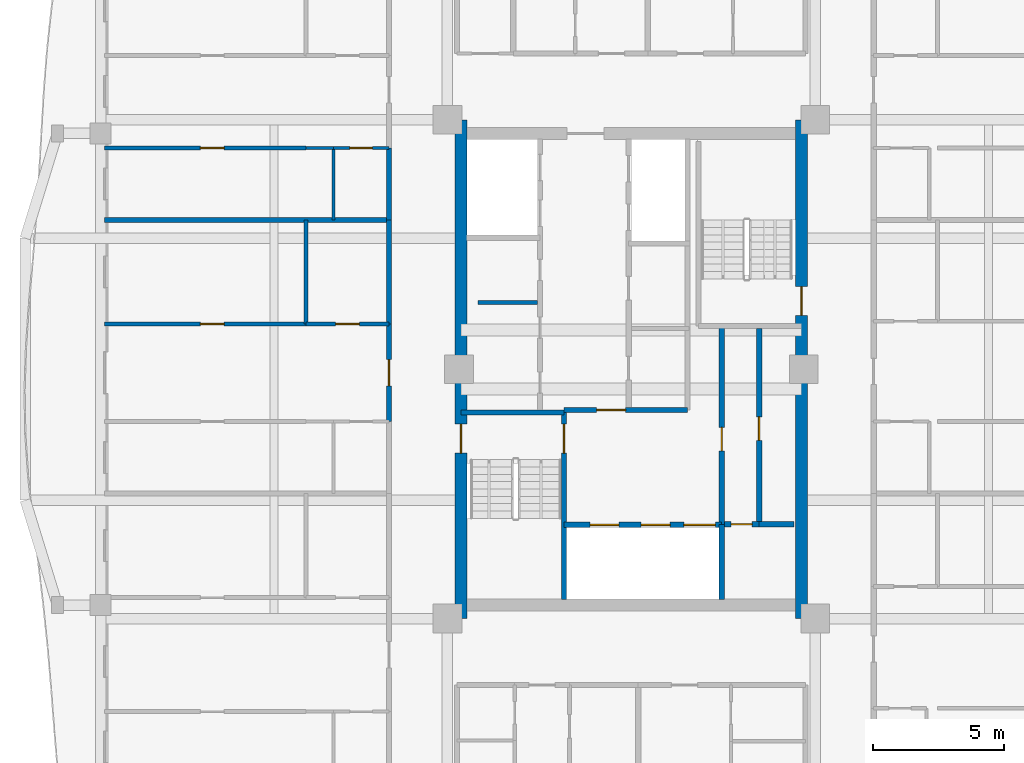
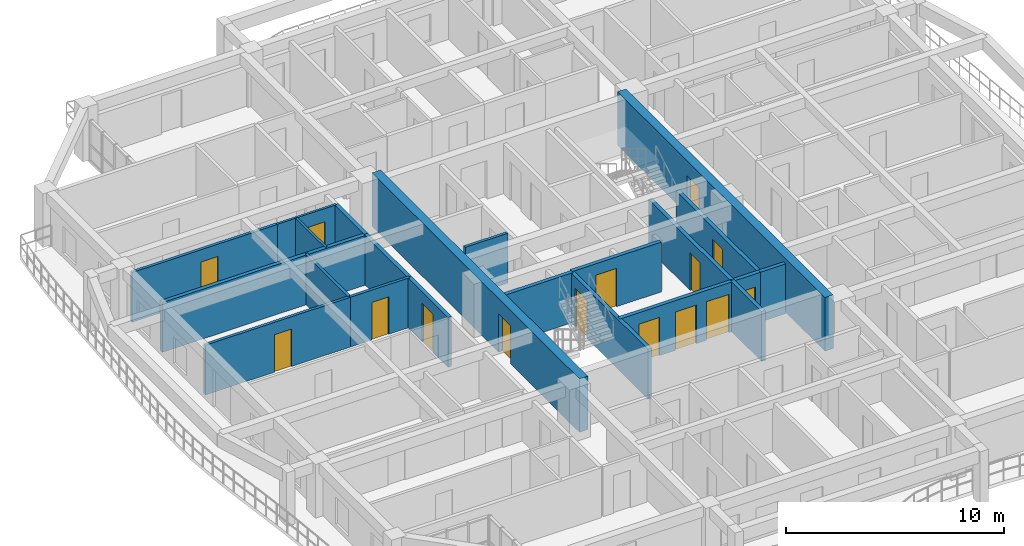
# One storey, part 12 of 22: 23 walls, 15 doors, 15 openings.
"""IFC4 building model written with IfcOpenShell, lengths in metres."""

from ifc_helpers import new_model, si_unit, direction, frame, frame_2d, origin, place, context, subcontext, project, spatial, rectangle, extrude, source, transform, mapped, material, layer, layer_set, type_object, element, fill, save


model = new_model("IFC4")

# Units and contexts
model_context = context("Model", 3, precision=1e-05, world=origin(), true_north=direction((0.0, 1.0)))
body_context = subcontext(model_context, "Body", "Model", "MODEL_VIEW")
ifc_project = project(units=[si_unit("LENGTHUNIT", "METRE"), si_unit("AREAUNIT", "SQUARE_METRE"), si_unit("VOLUMEUNIT", "CUBIC_METRE"), si_unit("PLANEANGLEUNIT", "RADIAN"), si_unit("MASSUNIT", "GRAM", prefix="KILO")], contexts=[model_context])

# Site, building, storey
site_placement = place(None, origin())
site = spatial("IfcSite", under=ifc_project, at=site_placement, CompositionType="ELEMENT")
building_placement = place(site_placement, origin())
building = spatial("IfcBuilding", under=site, at=building_placement, Name="Saelheon Loggia Tower", CompositionType="ELEMENT")
storey_placement = place(building_placement, frame((0.0, 0.0, 176.800048828125)))
storey = spatial("IfcBuildingStorey", under=building, at=storey_placement, Name="L55", CompositionType="ELEMENT", Elevation=176.800048828125)

# Wall, opening, door
ifc_material_1 = material(Name="Concrete C45/55", Category="concrete")
ifc_layer_1 = layer(ifc_material_1, 0.449951171875)
ifc_layer_set_1 = layer_set([ifc_layer_1], Name="Concrete C45/55")
wall_type_1 = type_object("IfcWallType", Name="Wall_CoreShear_450", PredefinedType="SHEAR", material=ifc_layer_set_1)
wall_1_placement = place(storey_placement, frame((31.5, 17.47998046875, 0.0), z_axis=(0.0, 0.0, 1.0), x_axis=(0.0, 1.0, 0.0)))
wall_1 = element("IfcWall", 1, at=wall_1_placement, inside=storey, type_object=wall_type_1, Name="L55 Core Shear Wall West", PredefinedType="SHEAR", context=body_context, shape_type="SweptSolid", body=[
    extrude(rectangle(XDim=19.0400390625, YDim=0.449951171875, at=frame_2d((9.52001953125, 0.0))), origin(), (0.0, 0.0, 1.0), 3.0),
])
opening_1_placement = place(wall_1_placement, frame((6.320068359375, 0.0, 0.0)))
opening_1 = element("IfcOpeningElement", 2, at=opening_1_placement, cuts=wall_1, Name="Opening D-FD2", PredefinedType="OPENING", context=body_context, shape_type="SweptSolid", body=[
    extrude(rectangle(XDim=1.10009765625, YDim=2.14990234375, at=frame_2d((0.550048828125, 1.074951171875))), frame((0.0, 0.237060546875, 0.0), z_axis=(0.0, -1.0, 0.0), x_axis=(1.0, 0.0, 0.0)), (0.0, 0.0, 1.0), 0.473876953125),
])
ifc_material_2 = material(Name="Galvanised Steel Fire Door", Category="steel")
door_type_1 = type_object("IfcDoorType", Name="Door_Fire_FD60_1100", OperationType="NOTDEFINED", PredefinedType="DOOR", material=ifc_material_2)
shared_shape_1 = source(origin(), body_context, "Body", "SweptSolid", [
    extrude(rectangle(XDim=1.10009765625, YDim=2.14990234375, at=frame_2d((0.550048828125, 1.074951171875))), frame((0.0, 0.02490234375, 0.0), z_axis=(0.0, -1.0, 0.0), x_axis=(1.0, 0.0, 0.0)), (0.0, 0.0, 1.0), 0.050048828125),
])
door_1_placement = place(opening_1_placement, origin())
door_1 = element("IfcDoor", 3, at=door_1_placement, inside=storey, type_object=door_type_1, Name="L55 Stair ST1 Corridor Door", OperationType="SINGLE_SWING_LEFT", OverallHeight=2.14990234375, OverallWidth=1.10009765625, PredefinedType="DOOR", context=body_context, shape_type="MappedRepresentation", body=[
    mapped(shared_shape_1, transform((0.0, 0.0, 0.0), scale=1.0)),
])
fill(opening_1, door_1)

wall_2_placement = place(storey_placement, frame((44.5, 17.47998046875, 0.0), z_axis=(0.0, 0.0, 1.0), x_axis=(0.0, 1.0, 0.0)))
wall_2 = element("IfcWall", 4, at=wall_2_placement, inside=storey, type_object=wall_type_1, Name="L55 Core Shear Wall East", PredefinedType="SHEAR", context=body_context, shape_type="SweptSolid", body=[
    extrude(rectangle(XDim=19.0400390625, YDim=0.449951171875, at=frame_2d((9.52001953125, 0.0))), origin(), (0.0, 0.0, 1.0), 3.0),
])
opening_2_placement = place(wall_2_placement, frame((12.670166015625, 0.0, 0.0), z_axis=(0.0, 0.0, 1.0), x_axis=(-1.0, 0.0, 0.0)))
opening_2 = element("IfcOpeningElement", 5, at=opening_2_placement, cuts=wall_2, Name="Opening D-FD2", PredefinedType="OPENING", context=body_context, shape_type="SweptSolid", body=[
    extrude(rectangle(XDim=1.10009765625, YDim=2.14990234375, at=frame_2d((0.550048828125, 1.074951171875))), frame((0.0, 0.237060546875, 0.0), z_axis=(0.0, -1.0, 0.0), x_axis=(1.0, 0.0, 0.0)), (0.0, 0.0, 1.0), 0.473876953125),
])
door_2_placement = place(opening_2_placement, origin())
door_2 = element("IfcDoor", 6, at=door_2_placement, inside=storey, type_object=door_type_1, Name="L55 Stair ST2 Corridor Door", OperationType="SINGLE_SWING_RIGHT", OverallHeight=2.14990234375, OverallWidth=1.10009765625, PredefinedType="DOOR", context=body_context, shape_type="MappedRepresentation", body=[
    mapped(shared_shape_1, transform((0.0, 0.0, 0.0), scale=1.0)),
])
fill(opening_2, door_2)

# Walls
ifc_material_3 = material(Name="Lightweight Autoclaved Aerated Concrete Block and Acoustic Gypsum", Category="concrete")
ifc_layer_2 = layer(ifc_material_3, 0.14990234375)
ifc_layer_set_2 = layer_set([ifc_layer_2], Name="Lightweight Autoclaved Aerated Concrete Block and Acoustic Gypsum")
wall_type_2 = type_object("IfcWallType", Name="Wall_Part_150", PredefinedType="PARTITIONING", material=ifc_layer_set_2)
wall_3_placement = place(storey_placement, frame((32.14990234375, 29.550048828125, 0.0), z_axis=(0.0, 0.0, 1.0), x_axis=(1.0, 0.0, 0.0)))
element("IfcWall", 7, at=wall_3_placement, inside=storey, type_object=wall_type_2, Name="L55 Freed Core Partition PL1", PredefinedType="PARTITIONING", context=body_context, shape_type="SweptSolid", body=[
    extrude(rectangle(XDim=2.27001953125, YDim=0.14990234375, at=frame_2d((1.135009765625, 0.0))), origin(), (0.0, 0.0, 1.0), 2.7900390625),
])
wall_4_placement = place(storey_placement, frame((25.590087890625, 28.7275390625, 0.0), z_axis=(0.0, 0.0, 1.0), x_axis=(0.0, 1.0, 0.0)))
element("IfcWall", 8, at=wall_4_placement, inside=storey, type_object=wall_type_2, Name="L55 W Partition V18", PredefinedType="PARTITIONING", context=body_context, shape_type="SweptSolid", body=[
    extrude(rectangle(XDim=3.9677734375, YDim=0.14990234375, at=frame_2d((1.98388671875, 0.0))), origin(), (0.0, 0.0, 1.0), 2.7900390625),
])

# Wall, opening, door
wall_5_placement = place(storey_placement, frame((28.75, 28.7275390625, 0.0), z_axis=(0.0, 0.0, 1.0), x_axis=(-1.0, 0.0, 0.0)))
wall_5 = element("IfcWall", 9, at=wall_5_placement, inside=storey, type_object=wall_type_2, Name="L55 W Partition U22", PredefinedType="PARTITIONING", context=body_context, shape_type="SweptSolid", body=[
    extrude(rectangle(XDim=3.159912109375, YDim=0.14990234375, at=frame_2d((1.580078125, 0.0))), origin(), (0.0, 0.0, 1.0), 2.7900390625),
])
opening_3_placement = place(wall_5_placement, frame((1.1298828125, 0.0, 0.0)))
opening_3 = element("IfcOpeningElement", 10, at=opening_3_placement, cuts=wall_5, Name="Opening D-IN2", PredefinedType="OPENING", context=body_context, shape_type="SweptSolid", body=[
    extrude(rectangle(XDim=0.89990234375, YDim=2.10009765625, at=frame_2d((0.449951171875, 1.050048828125))), frame((0.0, 0.0869140625, 0.0), z_axis=(0.0, -1.0, 0.0), x_axis=(1.0, 0.0, 0.0)), (0.0, 0.0, 1.0), 0.173828125),
])
ifc_material_4 = material(Name="Engineered Oak Flush Door", Category="timber")
door_type_2 = type_object("IfcDoorType", Name="Door_Int_900", OperationType="NOTDEFINED", PredefinedType="DOOR", material=ifc_material_4)
shared_shape_2 = source(origin(), body_context, "Body", "SweptSolid", [
    extrude(rectangle(XDim=0.89990234375, YDim=2.10009765625, at=frame_2d((0.449951171875, 1.050048828125))), frame((0.0, 0.02490234375, 0.0), z_axis=(0.0, -1.0, 0.0), x_axis=(1.0, 0.0, 0.0)), (0.0, 0.0, 1.0), 0.050048828125),
])
door_3_placement = place(opening_3_placement, origin())
door_3 = element("IfcDoor", 11, at=door_3_placement, inside=storey, type_object=door_type_2, Name="Unit U06 Home Office Door", OperationType="SINGLE_SWING_RIGHT", OverallHeight=2.10009765625, OverallWidth=0.89990234375, PredefinedType="DOOR", context=body_context, shape_type="MappedRepresentation", body=[
    mapped(shared_shape_2, transform((0.0, 0.0, 0.0), scale=1.0)),
])
fill(opening_3, door_3)

wall_6_placement = place(storey_placement, frame((25.590087890625, 28.7275390625, 0.0), z_axis=(0.0, 0.0, 1.0), x_axis=(-1.0, 0.0, 0.0)))
wall_6 = element("IfcWall", 12, at=wall_6_placement, inside=storey, type_object=wall_type_2, Name="L55 W Partition U23", PredefinedType="PARTITIONING", context=body_context, shape_type="SweptSolid", body=[
    extrude(rectangle(XDim=7.690185546875, YDim=0.14990234375, at=frame_2d((3.84521484375, 0.0))), origin(), (0.0, 0.0, 1.0), 2.7900390625),
])
opening_4_placement = place(wall_6_placement, frame((3.132080078125, 0.0, 0.0)))
opening_4 = element("IfcOpeningElement", 13, at=opening_4_placement, cuts=wall_6, Name="Opening D-IN2", PredefinedType="OPENING", context=body_context, shape_type="SweptSolid", body=[
    extrude(rectangle(XDim=0.89990234375, YDim=2.10009765625, at=frame_2d((0.449951171875, 1.050048828125))), frame((0.0, 0.0869140625, 0.0), z_axis=(0.0, -1.0, 0.0), x_axis=(1.0, 0.0, 0.0)), (0.0, 0.0, 1.0), 0.173828125),
])
door_4_placement = place(opening_4_placement, origin())
door_4 = element("IfcDoor", 14, at=door_4_placement, inside=storey, type_object=door_type_2, Name="Unit U06 Bedroom 1 Door", OperationType="SINGLE_SWING_LEFT", OverallHeight=2.10009765625, OverallWidth=0.89990234375, PredefinedType="DOOR", context=body_context, shape_type="MappedRepresentation", body=[
    mapped(shared_shape_2, transform((0.0, 0.0, 0.0), scale=1.0)),
])
fill(opening_4, door_4)

wall_7_placement = place(storey_placement, frame((25.590087890625, 35.4453125, 0.0), z_axis=(0.0, 0.0, 1.0), x_axis=(-1.0, 0.0, 0.0)))
wall_7 = element("IfcWall", 15, at=wall_7_placement, inside=storey, type_object=wall_type_2, Name="L55 W Partition U32", PredefinedType="PARTITIONING", context=body_context, shape_type="SweptSolid", body=[
    extrude(rectangle(XDim=7.690185546875, YDim=0.14990234375, at=frame_2d((3.84521484375, 0.0))), origin(), (0.0, 0.0, 1.0), 2.7900390625),
])
opening_5_placement = place(wall_7_placement, frame((3.132080078125, 0.0, 0.0)))
opening_5 = element("IfcOpeningElement", 16, at=opening_5_placement, cuts=wall_7, Name="Opening D-IN2", PredefinedType="OPENING", context=body_context, shape_type="SweptSolid", body=[
    extrude(rectangle(XDim=0.89990234375, YDim=2.10009765625, at=frame_2d((0.449951171875, 1.050048828125))), frame((0.0, 0.0869140625, 0.0), z_axis=(0.0, -1.0, 0.0), x_axis=(1.0, 0.0, 0.0)), (0.0, 0.0, 1.0), 0.173828125),
])
door_5_placement = place(opening_5_placement, origin())
door_5 = element("IfcDoor", 17, at=door_5_placement, inside=storey, type_object=door_type_2, Name="Unit U07 Kitchen Door", OperationType="SINGLE_SWING_RIGHT", OverallHeight=2.10009765625, OverallWidth=0.89990234375, PredefinedType="DOOR", context=body_context, shape_type="MappedRepresentation", body=[
    mapped(shared_shape_2, transform((0.0, 0.0, 0.0), scale=1.0)),
])
fill(opening_5, door_5)

ifc_material_5 = material(Name="Double Acoustic Stud and Fireboard Partition", Category="gypsum")
ifc_layer_3 = layer(ifc_material_5, 0.199951171875)
ifc_layer_set_3 = layer_set([ifc_layer_3], Name="Double Acoustic Stud and Fireboard Partition")
wall_type_3 = type_object("IfcWallType", Name="Wall_Party_200", PredefinedType="PARTITIONING", material=ifc_layer_set_3)
wall_8_placement = place(storey_placement, frame((28.75, 25.00390625, 0.0), z_axis=(0.0, 0.0, 1.0), x_axis=(0.0, 1.0, 0.0)))
wall_8 = element("IfcWall", 18, at=wall_8_placement, inside=storey, type_object=wall_type_3, Name="L55 W Partition V15", PredefinedType="PARTITIONING", context=body_context, shape_type="SweptSolid", body=[
    extrude(rectangle(XDim=3.7236328125, YDim=0.199951171875, at=frame_2d((1.86181640625, 0.0))), origin(), (0.0, 0.0, 1.0), 2.7900390625),
])
opening_6_placement = place(wall_8_placement, frame((1.36181640625, 0.0, 0.0)))
opening_6 = element("IfcOpeningElement", 19, at=opening_6_placement, cuts=wall_8, Name="Opening D-FD1", PredefinedType="OPENING", context=body_context, shape_type="SweptSolid", body=[
    extrude(rectangle(XDim=1.0, YDim=2.14990234375, at=frame_2d((0.5, 1.074951171875))), frame((0.0, 0.112060546875, 0.0), z_axis=(0.0, -1.0, 0.0), x_axis=(1.0, 0.0, 0.0)), (0.0, 0.0, 1.0), 0.223876953125),
])
ifc_material_6 = material(Name="Fire-Rated Engineered Timber Entrance Door", Category="wood")
door_type_3 = type_object("IfcDoorType", Name="Door_Flat_FD30S", OperationType="NOTDEFINED", PredefinedType="DOOR", material=ifc_material_6)
shared_shape_3 = source(origin(), body_context, "Body", "SweptSolid", [
    extrude(rectangle(XDim=1.0, YDim=2.14990234375, at=frame_2d((0.5, 1.074951171875))), frame((0.0, 0.02490234375, 0.0), z_axis=(0.0, -1.0, 0.0), x_axis=(1.0, 0.0, 0.0)), (0.0, 0.0, 1.0), 0.050048828125),
])
door_6_placement = place(opening_6_placement, origin())
door_6 = element("IfcDoor", 20, at=door_6_placement, inside=storey, type_object=door_type_3, Name="Unit U06 Entrance Door", OperationType="SINGLE_SWING_LEFT", OverallHeight=2.14990234375, OverallWidth=1.0, PredefinedType="DOOR", context=body_context, shape_type="MappedRepresentation", body=[
    mapped(shared_shape_3, transform((0.0, 0.0, 0.0), scale=1.0)),
])
fill(opening_6, door_6)

# Walls
wall_9_placement = place(storey_placement, frame((28.75, 28.7275390625, 0.0), z_axis=(0.0, 0.0, 1.0), x_axis=(0.0, 1.0, 0.0)))
element("IfcWall", 21, at=wall_9_placement, inside=storey, type_object=wall_type_3, Name="L55 W Partition V16", PredefinedType="PARTITIONING", context=body_context, shape_type="SweptSolid", body=[
    extrude(rectangle(XDim=3.9677734375, YDim=0.199951171875, at=frame_2d((1.98388671875, 0.0))), origin(), (0.0, 0.0, 1.0), 2.7900390625),
])
wall_10_placement = place(storey_placement, frame((28.75, 32.6953125, 0.0), z_axis=(0.0, 0.0, 1.0), x_axis=(-1.0, 0.0, 0.0)))
element("IfcWall", 22, at=wall_10_placement, inside=storey, type_object=wall_type_3, Name="L55 W Partition U24", PredefinedType="PARTITIONING", context=body_context, shape_type="SweptSolid", body=[
    extrude(rectangle(XDim=10.85009765625, YDim=0.199951171875, at=frame_2d((5.425048828125, 0.0))), origin(), (0.0, 0.0, 1.0), 2.7900390625),
])
wall_11_placement = place(storey_placement, frame((28.75, 32.6953125, 0.0), z_axis=(0.0, 0.0, 1.0), x_axis=(0.0, 1.0, 0.0)))
element("IfcWall", 23, at=wall_11_placement, inside=storey, type_object=wall_type_3, Name="L55 W Partition V25", PredefinedType="PARTITIONING", context=body_context, shape_type="SweptSolid", body=[
    extrude(rectangle(XDim=2.75, YDim=0.199951171875, at=frame_2d((1.375, 0.0))), origin(), (0.0, 0.0, 1.0), 2.7900390625),
])

# Wall, opening, door
ifc_material_7 = material(Name="Concrete C40/50", Category="concrete")
ifc_layer_4 = layer(ifc_material_7, 0.199951171875)
ifc_layer_set_4 = layer_set([ifc_layer_4], Name="Concrete C40/50")
wall_type_4 = type_object("IfcWallType", Name="Wall_Shaft_200", PredefinedType="PARTITIONING", material=ifc_layer_set_4)
wall_12_placement = place(storey_placement, frame((41.550048828125, 21.080078125, 0.0), z_axis=(0.0, 0.0, 1.0), x_axis=(1.0, 0.0, 0.0)))
wall_12 = element("IfcWall", 24, at=wall_12_placement, inside=storey, type_object=wall_type_4, Name="CW-BOH-L55-HS", PredefinedType="PARTITIONING", context=body_context, shape_type="SweptSolid", body=[
    extrude(rectangle(XDim=1.329833984375, YDim=0.199951171875, at=frame_2d((0.6650390625, 0.0))), origin(), (0.0, 0.0, 1.0), 2.7900390625),
])
opening_7_placement = place(wall_12_placement, frame((0.260009765625, 0.0, 0.0)))
opening_7 = element("IfcOpeningElement", 25, at=opening_7_placement, cuts=wall_12, Name="Opening D-ST1", PredefinedType="OPENING", context=body_context, shape_type="SweptSolid", body=[
    extrude(rectangle(XDim=0.800048828125, YDim=2.050048828125, at=frame_2d((0.39990234375, 1.02490234375))), frame((0.0, 0.112060546875, 0.0), z_axis=(0.0, -1.0, 0.0), x_axis=(1.0, 0.0, 0.0)), (0.0, 0.0, 1.0), 0.223876953125),
])
ifc_material_8 = material(Name="Powder-Coated Steel Store Door", Category="steel")
door_type_4 = type_object("IfcDoorType", Name="Door_Store_800", OperationType="NOTDEFINED", PredefinedType="DOOR", material=ifc_material_8)
shared_shape_4 = source(origin(), body_context, "Body", "SweptSolid", [
    extrude(rectangle(XDim=0.800048828125, YDim=2.050048828125, at=frame_2d((0.39990234375, 1.02490234375))), frame((0.0, 0.02490234375, 0.0), z_axis=(0.0, -1.0, 0.0), x_axis=(1.0, 0.0, 0.0)), (0.0, 0.0, 1.0), 0.050048828125),
])
door_7_placement = place(opening_7_placement, origin())
door_7 = element("IfcDoor", 26, at=door_7_placement, inside=storey, type_object=door_type_4, Name="L55 Electrical Riser Door", OperationType="SINGLE_SWING_LEFT", OverallHeight=2.050048828125, OverallWidth=0.800048828125, PredefinedType="DOOR", context=body_context, shape_type="MappedRepresentation", body=[
    mapped(shared_shape_4, transform((0.0, 0.0, 0.0), scale=1.0)),
])
fill(opening_7, door_7)

# Wall
wall_13_placement = place(storey_placement, frame((42.8798828125, 21.080078125, 0.0), z_axis=(0.0, 0.0, 1.0), x_axis=(1.0, 0.0, 0.0)))
element("IfcWall", 27, at=wall_13_placement, inside=storey, type_object=wall_type_4, Name="CW-BOH-L55-HS2", PredefinedType="PARTITIONING", context=body_context, shape_type="SweptSolid", body=[
    extrude(rectangle(XDim=1.340087890625, YDim=0.199951171875, at=frame_2d((0.669921875, 0.0))), origin(), (0.0, 0.0, 1.0), 2.7900390625),
])

# Wall, opening, door
wall_14_placement = place(storey_placement, frame((42.8798828125, 21.080078125, 0.0), z_axis=(0.0, 0.0, 1.0), x_axis=(0.0, 1.0, 0.0)))
wall_14 = element("IfcWall", 28, at=wall_14_placement, inside=storey, type_object=wall_type_4, Name="CW-BOH-L55-VS", PredefinedType="PARTITIONING", context=body_context, shape_type="SweptSolid", body=[
    extrude(rectangle(XDim=7.469970703125, YDim=0.199951171875, at=frame_2d((3.73486328125, 0.0))), origin(), (0.0, 0.0, 1.0), 2.7900390625),
])
opening_8_placement = place(wall_14_placement, frame((3.199951171875, 0.0, 0.0)))
opening_8 = element("IfcOpeningElement", 29, at=opening_8_placement, cuts=wall_14, Name="Opening D-RS1", PredefinedType="OPENING", context=body_context, shape_type="SweptSolid", body=[
    extrude(rectangle(XDim=0.89990234375, YDim=2.10009765625, at=frame_2d((0.449951171875, 1.050048828125))), frame((0.0, 0.112060546875, 0.0), z_axis=(0.0, -1.0, 0.0), x_axis=(1.0, 0.0, 0.0)), (0.0, 0.0, 1.0), 0.223876953125),
])
ifc_material_9 = material(Name="Galvanised Steel Riser Access Door", Category="steel")
door_type_5 = type_object("IfcDoorType", Name="Door_Riser_FD60", OperationType="NOTDEFINED", PredefinedType="DOOR", material=ifc_material_9)
door_8_placement = place(opening_8_placement, origin())
door_8 = element("IfcDoor", 30, at=door_8_placement, inside=storey, type_object=door_type_5, Name="L55 Linen Store Door", OperationType="SINGLE_SWING_RIGHT", OverallHeight=2.10009765625, OverallWidth=0.89990234375, PredefinedType="DOOR", context=body_context, shape_type="MappedRepresentation", body=[
    mapped(shared_shape_2, transform((0.0, 0.0, 0.0), scale=1.0)),
])
fill(opening_8, door_8)

# Wall
wall_15_placement = place(storey_placement, frame((41.449951171875, 18.219970703125, 0.0), z_axis=(0.0, 0.0, 1.0), x_axis=(0.0, 1.0, 0.0)))
element("IfcWall", 31, at=wall_15_placement, inside=storey, type_object=wall_type_4, Name="CW-INT-L55-BOH-W0", PredefinedType="PARTITIONING", context=body_context, shape_type="SweptSolid", body=[
    extrude(rectangle(XDim=2.860107421875, YDim=0.199951171875, at=frame_2d((1.43017578125, 0.0))), origin(), (0.0, 0.0, 1.0), 2.7900390625),
])

# Wall, opening, door
wall_16_placement = place(storey_placement, frame((41.449951171875, 21.080078125, 0.0), z_axis=(0.0, 0.0, 1.0), x_axis=(0.0, 1.0, 0.0)))
wall_16 = element("IfcWall", 32, at=wall_16_placement, inside=storey, type_object=wall_type_4, Name="CW-INT-L55-BOH-W1", PredefinedType="PARTITIONING", context=body_context, shape_type="SweptSolid", body=[
    extrude(rectangle(XDim=7.52001953125, YDim=0.199951171875, at=frame_2d((3.760009765625, 0.0))), origin(), (0.0, 0.0, 1.0), 2.7900390625),
])
opening_9_placement = place(wall_16_placement, frame((2.800048828125, 0.0, 0.0)))
opening_9 = element("IfcOpeningElement", 33, at=opening_9_placement, cuts=wall_16, Name="Opening D-RS1", PredefinedType="OPENING", context=body_context, shape_type="SweptSolid", body=[
    extrude(rectangle(XDim=0.89990234375, YDim=2.10009765625, at=frame_2d((0.449951171875, 1.050048828125))), frame((0.0, 0.112060546875, 0.0), z_axis=(0.0, -1.0, 0.0), x_axis=(1.0, 0.0, 0.0)), (0.0, 0.0, 1.0), 0.223876953125),
])
door_9_placement = place(opening_9_placement, origin())
door_9 = element("IfcDoor", 34, at=door_9_placement, inside=storey, type_object=door_type_5, Name="L55 Service Store Door", OperationType="SINGLE_SWING_LEFT", OverallHeight=2.10009765625, OverallWidth=0.89990234375, PredefinedType="DOOR", context=body_context, shape_type="MappedRepresentation", body=[
    mapped(shared_shape_2, transform((0.0, 0.0, 0.0), scale=1.0)),
])
fill(opening_9, door_9)

# Wall, openings, doors
wall_17_placement = place(storey_placement, frame((35.429931640625, 21.06005859375, 0.0), z_axis=(0.0, 0.0, 1.0), x_axis=(1.0, 0.0, 0.0)))
wall_17 = element("IfcWall", 35, at=wall_17_placement, inside=storey, type_object=wall_type_4, Name="L55 Firefighting Lift Shaft Front Wall", PredefinedType="PARTITIONING", context=body_context, shape_type="SweptSolid", body=[
    extrude(rectangle(XDim=6.02001953125, YDim=0.199951171875, at=frame_2d((3.010009765625, 0.0))), origin(), (0.0, 0.0, 1.0), 2.7900390625),
])
opening_10_placement = place(wall_17_placement, frame((1.0, 0.0, 0.0)))
opening_10 = element("IfcOpeningElement", 36, at=opening_10_placement, cuts=wall_17, Name="Opening LD2", PredefinedType="OPENING", context=body_context, shape_type="SweptSolid", body=[
    extrude(rectangle(XDim=1.10009765625, YDim=2.14990234375, at=frame_2d((0.550048828125, 1.074951171875))), frame((0.0, 0.112060546875, 0.0), z_axis=(0.0, -1.0, 0.0), x_axis=(1.0, 0.0, 0.0)), (0.0, 0.0, 1.0), 0.223876953125),
])
opening_11_placement = place(wall_17_placement, frame((2.949951171875, 0.0, 0.0)))
opening_11 = element("IfcOpeningElement", 37, at=opening_11_placement, cuts=wall_17, Name="Opening LD2", PredefinedType="OPENING", context=body_context, shape_type="SweptSolid", body=[
    extrude(rectangle(XDim=1.10009765625, YDim=2.14990234375, at=frame_2d((0.550048828125, 1.074951171875))), frame((0.0, 0.112060546875, 0.0), z_axis=(0.0, -1.0, 0.0), x_axis=(1.0, 0.0, 0.0)), (0.0, 0.0, 1.0), 0.223876953125),
])
opening_12_placement = place(wall_17_placement, frame((4.580078125, 0.0, 0.0)))
opening_12 = element("IfcOpeningElement", 38, at=opening_12_placement, cuts=wall_17, Name="Opening LD3", PredefinedType="OPENING", context=body_context, shape_type="SweptSolid", body=[
    extrude(rectangle(XDim=1.199951171875, YDim=2.14990234375, at=frame_2d((0.60009765625, 1.074951171875))), frame((0.0, 0.112060546875, 0.0), z_axis=(0.0, -1.0, 0.0), x_axis=(1.0, 0.0, 0.0)), (0.0, 0.0, 1.0), 0.223876953125),
])
ifc_material_10 = material(Name="Firefighting Stainless Steel 316 Landing Door", Category="steel")
door_type_6 = type_object("IfcDoorType", Name="Door_Lift_LD2", OperationType="DOUBLE_DOOR_SLIDING", PredefinedType="DOOR", material=ifc_material_10)
door_10_placement = place(opening_10_placement, origin())
door_10 = element("IfcDoor", 39, at=door_10_placement, inside=storey, type_object=door_type_6, Name="L55 FF1 Landing Door", OperationType="DOUBLE_DOOR_SLIDING", OverallHeight=2.14990234375, OverallWidth=1.10009765625, PredefinedType="DOOR", context=body_context, shape_type="MappedRepresentation", body=[
    mapped(shared_shape_1, transform((0.0, 0.0, 0.0), scale=1.0)),
])
fill(opening_10, door_10)
door_11_placement = place(opening_11_placement, origin())
door_11 = element("IfcDoor", 40, at=door_11_placement, inside=storey, type_object=door_type_6, Name="L55 FF2 Landing Door", OperationType="DOUBLE_DOOR_SLIDING", OverallHeight=2.14990234375, OverallWidth=1.10009765625, PredefinedType="DOOR", context=body_context, shape_type="MappedRepresentation", body=[
    mapped(shared_shape_1, transform((0.0, 0.0, 0.0), scale=1.0)),
])
fill(opening_11, door_11)
ifc_material_11 = material(Name="Stretcher Lift Stainless Steel 304 Landing Door", Category="steel")
door_type_7 = type_object("IfcDoorType", Name="Door_Lift_LD3", OperationType="DOUBLE_DOOR_SLIDING", PredefinedType="DOOR", material=ifc_material_11)
shared_shape_5 = source(origin(), body_context, "Body", "SweptSolid", [
    extrude(rectangle(XDim=1.199951171875, YDim=2.14990234375, at=frame_2d((0.60009765625, 1.074951171875))), frame((0.0, 0.02490234375, 0.0), z_axis=(0.0, -1.0, 0.0), x_axis=(1.0, 0.0, 0.0)), (0.0, 0.0, 1.0), 0.050048828125),
])
door_12_placement = place(opening_12_placement, origin())
door_12 = element("IfcDoor", 41, at=door_12_placement, inside=storey, type_object=door_type_7, Name="L55 SV1 Landing Door", OperationType="DOUBLE_DOOR_SLIDING", OverallHeight=2.14990234375, OverallWidth=1.199951171875, PredefinedType="DOOR", context=body_context, shape_type="MappedRepresentation", body=[
    mapped(shared_shape_5, transform((0.0, 0.0, 0.0), scale=1.0)),
])
fill(opening_12, door_12)

# Wall, opening, door
wall_18_placement = place(storey_placement, frame((35.429931640625, 25.43994140625, 0.0), z_axis=(0.0, 0.0, 1.0), x_axis=(1.0, 0.0, 0.0)))
wall_18 = element("IfcWall", 42, at=wall_18_placement, inside=storey, type_object=wall_type_4, Name="L55 Firefighting Lobby Compartment Wall", PredefinedType="PARTITIONING", context=body_context, shape_type="SweptSolid", body=[
    extrude(rectangle(XDim=4.719970703125, YDim=0.199951171875, at=frame_2d((2.35986328125, 0.0))), origin(), (0.0, 0.0, 1.0), 2.7900390625),
])
opening_13_placement = place(wall_18_placement, frame((1.25, 0.0, 0.0)))
opening_13 = element("IfcOpeningElement", 43, at=opening_13_placement, cuts=wall_18, Name="Opening D-FD2", PredefinedType="OPENING", context=body_context, shape_type="SweptSolid", body=[
    extrude(rectangle(XDim=1.10009765625, YDim=2.14990234375, at=frame_2d((0.550048828125, 1.074951171875))), frame((0.0, 0.112060546875, 0.0), z_axis=(0.0, -1.0, 0.0), x_axis=(1.0, 0.0, 0.0)), (0.0, 0.0, 1.0), 0.223876953125),
])
door_13_placement = place(opening_13_placement, origin())
door_13 = element("IfcDoor", 44, at=door_13_placement, inside=storey, type_object=door_type_1, Name="L55 Firefighting Lobby Door", OperationType="SINGLE_SWING_RIGHT", OverallHeight=2.14990234375, OverallWidth=1.10009765625, PredefinedType="DOOR", context=body_context, shape_type="MappedRepresentation", body=[
    mapped(shared_shape_1, transform((0.0, 0.0, 0.0), scale=1.0)),
])
fill(opening_13, door_13)

ifc_layer_5 = layer(ifc_material_1, 0.199951171875)
ifc_layer_set_5 = layer_set([ifc_layer_5], Name="Concrete C45/55")
wall_type_5 = type_object("IfcWallType", Name="Wall_StairShaft_RC200", PredefinedType="SOLIDWALL", material=ifc_layer_set_5)
wall_19_placement = place(storey_placement, frame((35.429931640625, 18.219970703125, 0.0), z_axis=(0.0, 0.0, 1.0), x_axis=(0.0, 1.0, 0.0)))
wall_19 = element("IfcWall", 45, at=wall_19_placement, inside=storey, type_object=wall_type_5, Name="L55 Stair ST1 Shaft Wall", PredefinedType="SOLIDWALL", context=body_context, shape_type="SweptSolid", body=[
    extrude(rectangle(XDim=7.219970703125, YDim=0.199951171875, at=frame_2d((3.60986328125, 0.0))), origin(), (0.0, 0.0, 1.0), 2.7900390625),
])
opening_14_placement = place(wall_19_placement, frame((6.68017578125, 0.0, 0.0), z_axis=(0.0, 0.0, 1.0), x_axis=(-1.0, 0.0, 0.0)))
opening_14 = element("IfcOpeningElement", 46, at=opening_14_placement, cuts=wall_19, Name="Opening D-FD2", PredefinedType="OPENING", context=body_context, shape_type="SweptSolid", body=[
    extrude(rectangle(XDim=1.10009765625, YDim=2.14990234375, at=frame_2d((0.550048828125, 1.074951171875))), frame((0.0, 0.112060546875, 0.0), z_axis=(0.0, -1.0, 0.0), x_axis=(1.0, 0.0, 0.0)), (0.0, 0.0, 1.0), 0.223876953125),
])
door_14_placement = place(opening_14_placement, origin())
door_14 = element("IfcDoor", 47, at=door_14_placement, inside=storey, type_object=door_type_1, Name="L55 Stair ST1 Lobby Door", OperationType="SINGLE_SWING_LEFT", OverallHeight=2.14990234375, OverallWidth=1.10009765625, PredefinedType="DOOR", context=body_context, shape_type="MappedRepresentation", body=[
    mapped(shared_shape_1, transform((0.0, 0.0, 0.0), scale=1.0)),
])
fill(opening_14, door_14)

# Walls
wall_20_placement = place(storey_placement, frame((31.5, 25.35009765625, 0.0), z_axis=(0.0, 0.0, 1.0), x_axis=(1.0, 0.0, 0.0)))
element("IfcWall", 48, at=wall_20_placement, inside=storey, type_object=wall_type_5, Name="L55 Stair ST1 North Wall", PredefinedType="SOLIDWALL", context=body_context, shape_type="SweptSolid", body=[
    extrude(rectangle(XDim=3.929931640625, YDim=0.199951171875, at=frame_2d((1.96484375, 0.0))), origin(), (0.0, 0.0, 1.0), 2.7900390625),
])
ifc_material_12 = material(Name="Moisture-Resistant Cement Board Partition", Category="gypsum")
ifc_layer_6 = layer(ifc_material_12, 0.1201171875)
ifc_layer_set_6 = layer_set([ifc_layer_6], Name="Moisture-Resistant Cement Board Partition")
wall_type_6 = type_object("IfcWallType", Name="Wall_WetPart_120", PredefinedType="PARTITIONING", material=ifc_layer_set_6)
wall_21_placement = place(storey_placement, frame((26.6298828125, 32.6953125, 0.0), z_axis=(0.0, 0.0, 1.0), x_axis=(0.0, 1.0, 0.0)))
element("IfcWall", 49, at=wall_21_placement, inside=storey, type_object=wall_type_6, Name="L55 W Partition V28", PredefinedType="PARTITIONING", context=body_context, shape_type="SweptSolid", body=[
    extrude(rectangle(XDim=2.75, YDim=0.1201171875, at=frame_2d((1.375, 0.0))), origin(), (0.0, 0.0, 1.0), 2.7900390625),
])

# Wall, opening, door
wall_22_placement = place(storey_placement, frame((28.75, 35.4453125, 0.0), z_axis=(0.0, 0.0, 1.0), x_axis=(-1.0, 0.0, 0.0)))
wall_22 = element("IfcWall", 50, at=wall_22_placement, inside=storey, type_object=wall_type_6, Name="L55 W Partition U30", PredefinedType="PARTITIONING", context=body_context, shape_type="SweptSolid", body=[
    extrude(rectangle(XDim=2.1201171875, YDim=0.1201171875, at=frame_2d((1.06005859375, 0.0))), origin(), (0.0, 0.0, 1.0), 2.7900390625),
])
opening_15_placement = place(wall_22_placement, frame((0.635009765625, 0.0, 0.0)))
opening_15 = element("IfcOpeningElement", 51, at=opening_15_placement, cuts=wall_22, Name="Opening D-BT1", PredefinedType="OPENING", context=body_context, shape_type="SweptSolid", body=[
    extrude(rectangle(XDim=0.85009765625, YDim=2.050048828125, at=frame_2d((0.425048828125, 1.02490234375))), frame((0.0, 0.072021484375, 0.0), z_axis=(0.0, -1.0, 0.0), x_axis=(1.0, 0.0, 0.0)), (0.0, 0.0, 1.0), 0.14404296875),
])
ifc_material_13 = material(Name="Moisture-Resistant Laminate Timber Door", Category="wood")
door_type_8 = type_object("IfcDoorType", Name="Door_Bath_850", OperationType="NOTDEFINED", PredefinedType="DOOR", material=ifc_material_13)
shared_shape_6 = source(origin(), body_context, "Body", "SweptSolid", [
    extrude(rectangle(XDim=0.85009765625, YDim=2.050048828125, at=frame_2d((0.425048828125, 1.02490234375))), frame((0.0, 0.02490234375, 0.0), z_axis=(0.0, -1.0, 0.0), x_axis=(1.0, 0.0, 0.0)), (0.0, 0.0, 1.0), 0.050048828125),
])
door_15_placement = place(opening_15_placement, origin())
door_15 = element("IfcDoor", 52, at=door_15_placement, inside=storey, type_object=door_type_8, Name="Unit U07 Bathroom Door", OperationType="SINGLE_SWING_LEFT", OverallHeight=2.050048828125, OverallWidth=0.85009765625, PredefinedType="DOOR", context=body_context, shape_type="MappedRepresentation", body=[
    mapped(shared_shape_6, transform((0.0, 0.0, 0.0), scale=1.0)),
])
fill(opening_15, door_15)

# Wall
wall_23_placement = place(storey_placement, frame((26.6298828125, 35.4453125, 0.0), z_axis=(0.0, 0.0, 1.0), x_axis=(-1.0, 0.0, 0.0)))
element("IfcWall", 53, at=wall_23_placement, inside=storey, type_object=wall_type_6, Name="L55 W Partition U31", PredefinedType="PARTITIONING", context=body_context, shape_type="SweptSolid", body=[
    extrude(rectangle(XDim=1.039794921875, YDim=0.1201171875, at=frame_2d((0.52001953125, 0.0))), origin(), (0.0, 0.0, 1.0), 2.7900390625),
])

save(model, "model.ifc")
